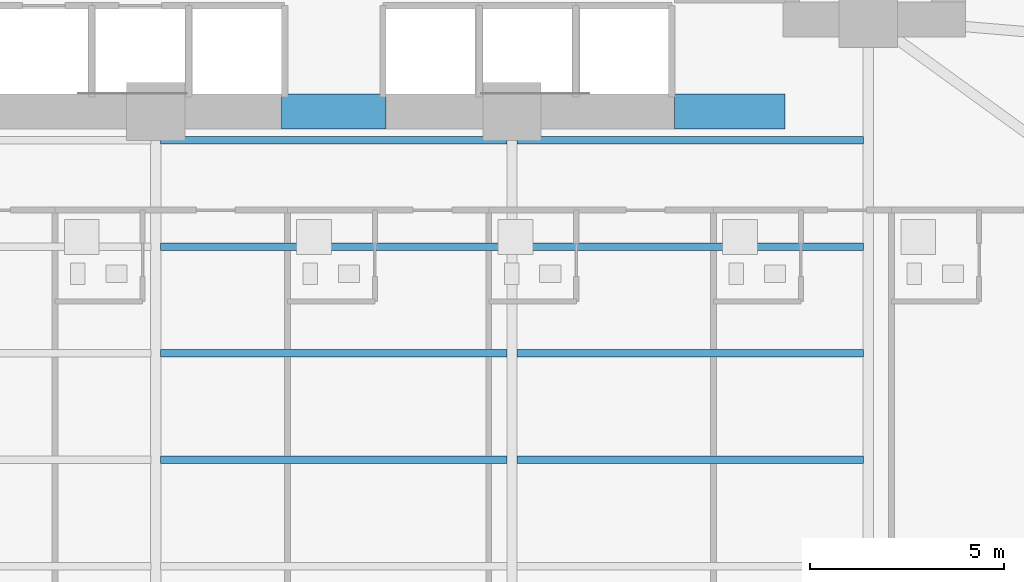
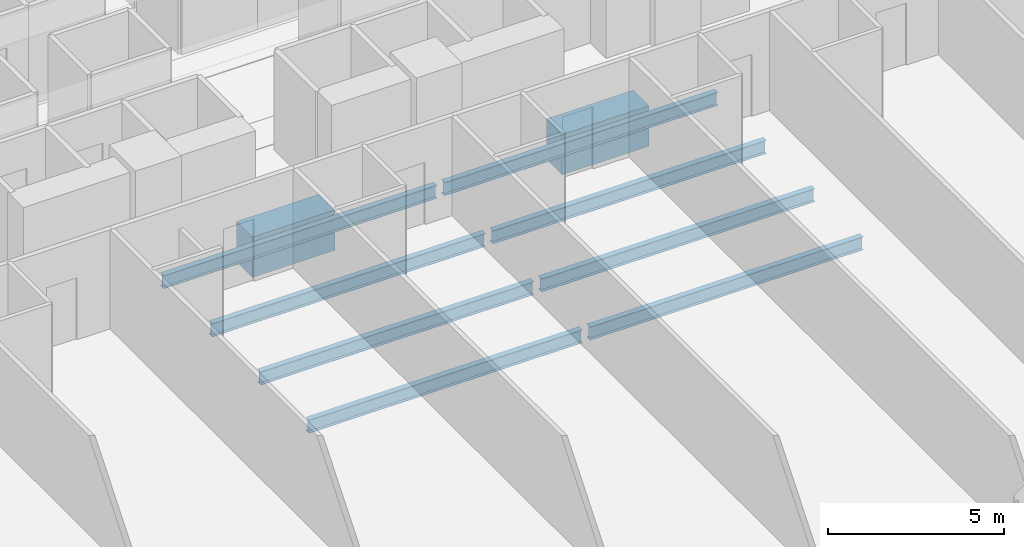
# One storey, part 11 of 30: 10 beams.
"""IFC4 building model written with IfcOpenShell, lengths in metres."""

from ifc_helpers import new_model, si_unit, direction, frame, origin, origin_2d, place, context, subcontext, project, spatial, rectangle, i_section, extrude, material, material_profile, profile_set, type_object, element, save


model = new_model("IFC4")

# Units and contexts
model_context = context("Model", 3, precision=1e-05, world=origin(), true_north=direction((0.0, 1.0)))
body_context = subcontext(model_context, "Body", "Model", "MODEL_VIEW")
ifc_project = project(units=[si_unit("LENGTHUNIT", "METRE"), si_unit("AREAUNIT", "SQUARE_METRE"), si_unit("VOLUMEUNIT", "CUBIC_METRE"), si_unit("PLANEANGLEUNIT", "RADIAN"), si_unit("MASSUNIT", "GRAM", prefix="KILO")], contexts=[model_context])

# Site, building, storey
site_placement = place(None, origin())
site = spatial("IfcSite", under=ifc_project, at=site_placement, CompositionType="ELEMENT")
building_placement = place(site_placement, origin())
building = spatial("IfcBuilding", under=site, at=building_placement, Name="Zuhayl Quay Hotel", CompositionType="ELEMENT")
storey_placement = place(building_placement, frame((0.0, 0.0, 27.60009765625)))
storey = spatial("IfcBuildingStorey", under=building, at=storey_placement, Name="L05", CompositionType="ELEMENT", Elevation=27.60009765625)

# Beams
ifc_material_1 = material(Name="Concrete C60/75", Category="concrete")
ifc_material_profile_1 = material_profile(ifc_material_1, rectangle(XDim=0.89990234375, YDim=1.39990234375, at=origin_2d()), Name="RC900X1400")
ifc_profile_set_1 = profile_set([ifc_material_profile_1], Name="Concrete C60/75")
beam_type_1 = type_object("IfcBeamType", Name="BM_CB1_RC900", PredefinedType="T_BEAM", material=ifc_profile_set_1)
beam_1_placement = place(storey_placement, frame((8.800048828125, 2.14990234375, -0.920166015625), z_axis=(1.0, 0.0, 0.0), x_axis=(0.0, 1.0, 0.0)))
element("IfcBeam", 1, at=beam_1_placement, inside=storey, type_object=beam_type_1, Name="L05 Core Coupling Beam SE", PredefinedType="T_BEAM", context=body_context, shape_type="SweptSolid", body=[
    extrude(rectangle(XDim=0.89990234375, YDim=1.39990234375, at=origin_2d()), origin(), (0.0, 0.0, 1.0), 2.849853515625),
])
beam_2_placement = place(storey_placement, frame((-1.35009765625, 2.14990234375, -0.920166015625), z_axis=(1.0, 0.0, 0.0), x_axis=(0.0, 1.0, 0.0)))
element("IfcBeam", 2, at=beam_2_placement, inside=storey, type_object=beam_type_1, Name="L05 Core Coupling Beam South", PredefinedType="T_BEAM", context=body_context, shape_type="SweptSolid", body=[
    extrude(rectangle(XDim=0.89990234375, YDim=1.39990234375, at=origin_2d()), origin(), (0.0, 0.0, 1.0), 2.7001953125),
])
ifc_material_2 = material(Name="Steel ASTM A992 Grade 50", Category="steel")
ifc_material_profile_2 = material_profile(ifc_material_2, i_section(OverallWidth=0.18994140625, OverallDepth=0.45703125, WebThickness=0.009033203125, FlangeThickness=0.014404296875, at=origin_2d()), Name="W18X50")
ifc_profile_set_2 = profile_set([ifc_material_profile_2], Name="Steel ASTM A992 Grade 50")
beam_type_2 = type_object("IfcBeamType", Name="BM_J2_W18X50", PredefinedType="JOIST", material=ifc_profile_set_2)
beam_3_placement = place(storey_placement, frame((-4.474609375, -6.85009765625, -0.448486328125), z_axis=(1.0, 0.0, 0.0), x_axis=(0.0, 1.0, 0.0)))
element("IfcBeam", 3, at=beam_3_placement, inside=storey, type_object=beam_type_2, Name="L05 Floor Beam FJ_L05_7_2", PredefinedType="JOIST", context=body_context, shape_type="SweptSolid", body=[
    extrude(i_section(OverallWidth=0.18994140625, OverallDepth=0.45703125, WebThickness=0.009033203125, FlangeThickness=0.014404296875, at=origin_2d()), origin(), (0.0, 0.0, 1.0), 8.94921875),
])
beam_4_placement = place(storey_placement, frame((4.7255859375, -6.85009765625, -0.448486328125), z_axis=(1.0, 0.0, 0.0), x_axis=(0.0, 1.0, 0.0)))
element("IfcBeam", 4, at=beam_4_placement, inside=storey, type_object=beam_type_2, Name="L05 Floor Beam FJ_L05_7_3", PredefinedType="JOIST", context=body_context, shape_type="SweptSolid", body=[
    extrude(i_section(OverallWidth=0.18994140625, OverallDepth=0.45703125, WebThickness=0.009033203125, FlangeThickness=0.014404296875, at=origin_2d()), origin(), (0.0, 0.0, 1.0), 8.948974609375),
])
beam_5_placement = place(storey_placement, frame((-4.474609375, -4.10009765625, -0.448486328125), z_axis=(1.0, 0.0, 0.0), x_axis=(0.0, 1.0, 0.0)))
element("IfcBeam", 5, at=beam_5_placement, inside=storey, type_object=beam_type_2, Name="L05 Floor Beam FJ_L05_8_2", PredefinedType="JOIST", context=body_context, shape_type="SweptSolid", body=[
    extrude(i_section(OverallWidth=0.18994140625, OverallDepth=0.45703125, WebThickness=0.009033203125, FlangeThickness=0.014404296875, at=origin_2d()), origin(), (0.0, 0.0, 1.0), 8.94921875),
])
beam_6_placement = place(storey_placement, frame((4.7255859375, -4.10009765625, -0.448486328125), z_axis=(1.0, 0.0, 0.0), x_axis=(0.0, 1.0, 0.0)))
element("IfcBeam", 6, at=beam_6_placement, inside=storey, type_object=beam_type_2, Name="L05 Floor Beam FJ_L05_8_3", PredefinedType="JOIST", context=body_context, shape_type="SweptSolid", body=[
    extrude(i_section(OverallWidth=0.18994140625, OverallDepth=0.45703125, WebThickness=0.009033203125, FlangeThickness=0.014404296875, at=origin_2d()), origin(), (0.0, 0.0, 1.0), 8.948974609375),
])
beam_7_placement = place(storey_placement, frame((-4.474609375, -1.35009765625, -0.448486328125), z_axis=(1.0, 0.0, 0.0), x_axis=(0.0, 1.0, 0.0)))
element("IfcBeam", 7, at=beam_7_placement, inside=storey, type_object=beam_type_2, Name="L05 Floor Beam FJ_L05_9_2", PredefinedType="JOIST", context=body_context, shape_type="SweptSolid", body=[
    extrude(i_section(OverallWidth=0.18994140625, OverallDepth=0.45703125, WebThickness=0.009033203125, FlangeThickness=0.014404296875, at=origin_2d()), origin(), (0.0, 0.0, 1.0), 8.94921875),
])
beam_8_placement = place(storey_placement, frame((4.7255859375, -1.35009765625, -0.448486328125), z_axis=(1.0, 0.0, 0.0), x_axis=(0.0, 1.0, 0.0)))
element("IfcBeam", 8, at=beam_8_placement, inside=storey, type_object=beam_type_2, Name="L05 Floor Beam FJ_L05_9_3", PredefinedType="JOIST", context=body_context, shape_type="SweptSolid", body=[
    extrude(i_section(OverallWidth=0.18994140625, OverallDepth=0.45703125, WebThickness=0.009033203125, FlangeThickness=0.014404296875, at=origin_2d()), origin(), (0.0, 0.0, 1.0), 8.948974609375),
])
beam_9_placement = place(storey_placement, frame((-4.474609375, 1.39990234375, -0.448486328125), z_axis=(1.0, 0.0, 0.0), x_axis=(0.0, 1.0, 0.0)))
element("IfcBeam", 9, at=beam_9_placement, inside=storey, type_object=beam_type_2, Name="L05 Floor Beam FJ_L05_10_2", PredefinedType="JOIST", context=body_context, shape_type="SweptSolid", body=[
    extrude(i_section(OverallWidth=0.18994140625, OverallDepth=0.45703125, WebThickness=0.009033203125, FlangeThickness=0.014404296875, at=origin_2d()), origin(), (0.0, 0.0, 1.0), 8.94921875),
])
beam_10_placement = place(storey_placement, frame((4.7255859375, 1.39990234375, -0.448486328125), z_axis=(1.0, 0.0, 0.0), x_axis=(0.0, 1.0, 0.0)))
element("IfcBeam", 10, at=beam_10_placement, inside=storey, type_object=beam_type_2, Name="L05 Floor Beam FJ_L05_10_3", PredefinedType="JOIST", context=body_context, shape_type="SweptSolid", body=[
    extrude(i_section(OverallWidth=0.18994140625, OverallDepth=0.45703125, WebThickness=0.009033203125, FlangeThickness=0.014404296875, at=origin_2d()), origin(), (0.0, 0.0, 1.0), 8.948974609375),
])

save(model, "model.ifc")
